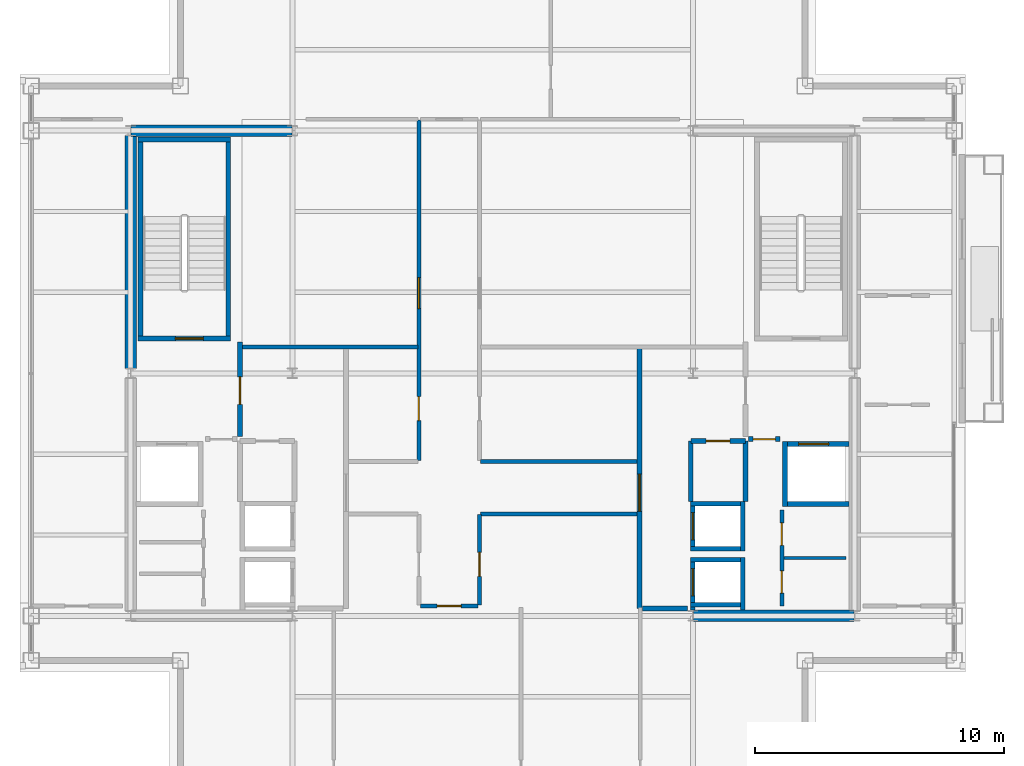
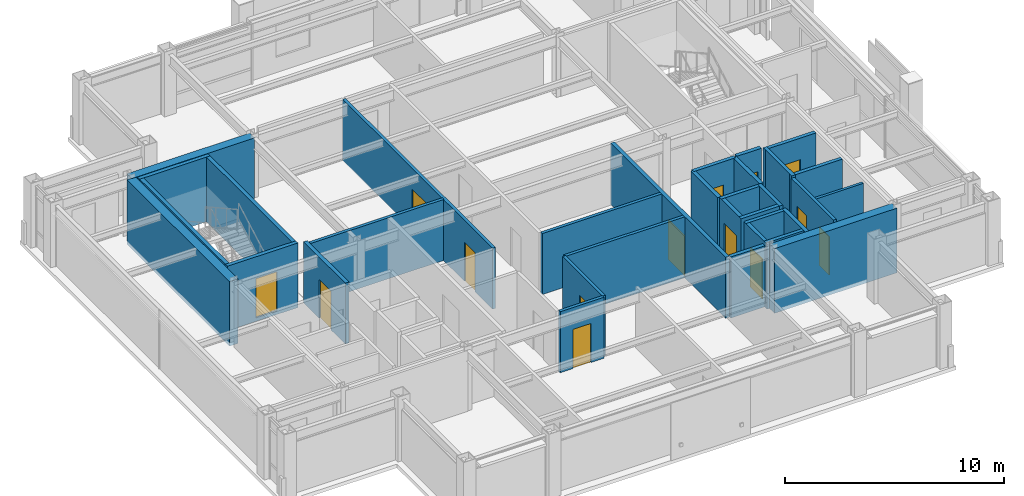
# One storey, part 20 of 24: 33 walls, 14 doors, 14 openings.
"""IFC4 building model written with IfcOpenShell, lengths in metres."""

import ifcopenshell
import ifcopenshell.guid

model = None  # the IFC model being written
_history = None  # IfcOwnerHistory: only IFC2X3 demands one
_inside = {}  # id of a spatial element -> (the spatial element, [elements in it])
_under = {}  # id of a project, library or spatial element -> (it, [spatial elements below it])
_declared = {}  # id of a project -> (the project, [libraries it declares])
_typed = {}  # id of a type object -> (the type object, [elements of that type])
_made_of = {}  # id of a material, layer set ... -> (it, [elements and type objects made of it])


def new_model(schema):
    """Start an empty IFC model of exactly this schema.

    Asked for "IFC4X3", IfcOpenShell would pick the latest addendum, in which some entities
    have other attributes; the version numbers below select the first issue.
    IFC2X3 requires an IfcOwnerHistory on every rooted entity: one is made here for all.
    """
    global model, _history
    if schema == "IFC4X3":
        model = ifcopenshell.file(schema_version=(4, 3, 0, 0))
    else:
        model = ifcopenshell.file(schema=schema)
    _inside.clear()
    _under.clear()
    _declared.clear()
    _typed.clear()
    _made_of.clear()
    _history = None
    if model.schema == "IFC2X3":
        org = make("IfcOrganization", Name="unknown")
        user = make(
            "IfcPersonAndOrganization",
            ThePerson=make("IfcPerson", FamilyName="unknown"),
            TheOrganization=org,
        )
        app = make(
            "IfcApplication",
            ApplicationDeveloper=org,
            Version="unknown",
            ApplicationFullName="unknown",
            ApplicationIdentifier="unknown",
        )
        _history = make(
            "IfcOwnerHistory",
            OwningUser=user,
            OwningApplication=app,
            ChangeAction="ADDED",
            CreationDate=0,
        )
    return model


def make(cls, **values):
    """One entity of the class cls with the attributes given. An attribute that is None is left unset."""
    return model.create_entity(
        cls, **{name: value for name, value in values.items() if value is not None}
    )


def rooted(cls, **values):
    """An entity with a GlobalId (a new one), such as an element, a storey or a relation."""
    return make(cls, GlobalId=ifcopenshell.guid.new(), OwnerHistory=_history, **values)


def si_unit(unit_type, name, prefix=None):
    """IfcSIUnit, for example si_unit("LENGTHUNIT", "METRE", prefix="MILLI")."""
    return make("IfcSIUnit", UnitType=unit_type, Prefix=prefix, Name=name)


def assignment(units):
    """IfcUnitAssignment: the units of a project."""
    return None if units is None else make("IfcUnitAssignment", Units=units)


def point(xyz):
    """IfcCartesianPoint."""
    return None if xyz is None else make("IfcCartesianPoint", Coordinates=xyz)


def direction(xyz):
    """IfcDirection."""
    return None if xyz is None else make("IfcDirection", DirectionRatios=xyz)


def frame(location, z_axis=None, x_axis=None):
    """IfcAxis2Placement3D, a coordinate frame: its origin and axes. An axis left out is left unset."""
    return make(
        "IfcAxis2Placement3D",
        Location=point(location),
        Axis=direction(z_axis),
        RefDirection=direction(x_axis),
    )


def frame_2d(location, x_axis=None):
    """IfcAxis2Placement2D, a coordinate frame in the plane: its origin and x axis."""
    return make(
        "IfcAxis2Placement2D", Location=point(location), RefDirection=direction(x_axis)
    )


def origin():
    """The frame at (0, 0, 0) with its axes left unset."""
    return frame((0.0, 0.0, 0.0))


def place(relative_to, where):
    """IfcLocalPlacement: puts the frame where relative to a parent placement (None: the world)."""
    return make(
        "IfcLocalPlacement", PlacementRelTo=relative_to, RelativePlacement=where
    )


def context(
    kind, dimensions, precision=None, world=None, true_north=None, identifier=None
):
    """IfcGeometricRepresentationContext, for example the 3D "Model" context."""
    return make(
        "IfcGeometricRepresentationContext",
        ContextIdentifier=identifier,
        ContextType=kind,
        CoordinateSpaceDimension=dimensions,
        Precision=precision,
        WorldCoordinateSystem=world,
        TrueNorth=true_north,
    )


def subcontext(parent, identifier, kind, view, scale=None):
    """IfcGeometricRepresentationSubContext, for example "Body" below "Model"."""
    return make(
        "IfcGeometricRepresentationSubContext",
        ContextIdentifier=identifier,
        ContextType=kind,
        ParentContext=parent,
        TargetScale=scale,
        TargetView=view,
    )


def project(units=None, contexts=None):
    """IfcProject with its units and contexts."""
    return rooted(
        "IfcProject",
        Name="project",
        RepresentationContexts=contexts,
        UnitsInContext=assignment(units),
    )


def spatial(cls, under=None, at=None, **own):
    """A site, building, storey or space (cls), placed at a placement, below another one or the project."""
    s = rooted(cls, ObjectPlacement=at, **own)
    if under is not None:
        _under.setdefault(under.id(), (under, []))[1].append(s)
    return s


def profile(cls, at=None, kind="AREA", **sizes):
    """A parametric profile (cls). Its sizes go by their IFC names, for example OverallWidth=200.0."""
    return make(cls, ProfileType=kind, Position=at, **sizes)


def rectangle(**sizes):
    """IfcRectangleProfileDef."""
    return profile("IfcRectangleProfileDef", **sizes)


def extrude(swept, where, along, depth):
    """IfcExtrudedAreaSolid: the profile swept, set in the frame where, extruded along a direction by depth."""
    return make(
        "IfcExtrudedAreaSolid",
        SweptArea=swept,
        Position=where,
        ExtrudedDirection=direction(along),
        Depth=depth,
    )


def shape(context_of_items, identifier, shape_type, items):
    """IfcShapeRepresentation: the items that make up one representation, for example the "Body"."""
    return make(
        "IfcShapeRepresentation",
        ContextOfItems=context_of_items,
        RepresentationIdentifier=identifier,
        RepresentationType=shape_type,
        Items=items,
    )


def material(Name=None, Category=None):
    """IfcMaterial."""
    return make("IfcMaterial", Name=Name, Category=Category)


def layer(
    of_material, thickness, ventilated=None, Name=None, Category=None, Priority=None
):
    """IfcMaterialLayer: one layer of a wall or slab, of a material (None: an air gap)."""
    return make(
        "IfcMaterialLayer",
        Material=of_material,
        LayerThickness=thickness,
        IsVentilated=ventilated,
        Name=Name,
        Category=Category,
        Priority=Priority,
    )


def layer_set(layers, Name=None):
    """IfcMaterialLayerSet."""
    return make("IfcMaterialLayerSet", MaterialLayers=layers, LayerSetName=Name)


def made_of(thing, what):
    """Note that an element or type object is made of a material, layer set ...; save() writes the relation."""
    if what is not None:
        _made_of.setdefault(what.id(), (what, []))[1].append(thing)
    return thing


def type_object(cls, material=None, **own):
    """A type object (cls), such as IfcWallType, which elements share."""
    return made_of(rooted(cls, **own), material)


def element(
    cls,
    number,
    at=None,
    inside=None,
    cuts=None,
    type_object=None,
    material=None,
    context=None,
    identifier="Body",
    shape_type=None,
    held_by="IfcProductDefinitionShape",
    body=None,
    shapes=None,
    **own,
):
    """One element of the class cls, such as IfcWall. Its Tag is "e" and its number.

    at: its placement. inside: the storey or other place that contains it. cuts: it is an
    opening in that element (IfcRelVoidsElement). A single representation is given by context,
    identifier, shape_type and body (its items); several are given by shapes. held_by: the class
    of the entity that holds the representations. save() writes the other relations.
    """
    e = rooted(cls, Tag="e%d" % number, ObjectPlacement=at, **own)
    if body is not None:
        shapes = [shape(context, identifier, shape_type, body)]
    if shapes is not None:
        e.Representation = make(held_by, Representations=shapes)
    if inside is not None:
        _inside.setdefault(inside.id(), (inside, []))[1].append(e)
    if cuts is not None:
        rooted(
            "IfcRelVoidsElement", RelatingBuildingElement=cuts, RelatedOpeningElement=e
        )
    if type_object is not None:
        _typed.setdefault(type_object.id(), (type_object, []))[1].append(e)
    return made_of(e, material)


def fill(opening, filler):
    """IfcRelFillsElement: the door or window that sits in an opening."""
    return rooted(
        "IfcRelFillsElement",
        RelatingOpeningElement=opening,
        RelatedBuildingElement=filler,
    )


def aggregate(whole, parts):
    """IfcRelAggregates: a whole, such as a stair, and the parts it consists of."""
    return rooted("IfcRelAggregates", RelatingObject=whole, RelatedObjects=parts)


def save(model, path):
    """Write the relations noted so far, then the file.

    IfcRelAggregates (storeys below a building ...), IfcRelContainedInSpatialStructure (elements
    in a storey), IfcRelDefinesByType, IfcRelAssociatesMaterial and IfcRelDeclares: one each for
    every whole, place, type object, material and project.
    """
    for whole, parts in _under.values():
        aggregate(whole, parts)
    for where, things in _inside.values():
        rooted(
            "IfcRelContainedInSpatialStructure",
            RelatedElements=things,
            RelatingStructure=where,
        )
    for kind, things in _typed.values():
        rooted("IfcRelDefinesByType", RelatedObjects=things, RelatingType=kind)
    for what, things in _made_of.values():
        rooted("IfcRelAssociatesMaterial", RelatedObjects=things, RelatingMaterial=what)
    for by, libraries in _declared.values():
        rooted("IfcRelDeclares", RelatingContext=by, RelatedDefinitions=libraries)
    model.write(path)


model = new_model("IFC4")

# Units and contexts
model_context = context("Model", 3, precision=1e-05, world=origin(), true_north=direction((0.0, 1.0)))
body_context = subcontext(model_context, "Body", "Model", "MODEL_VIEW")
ifc_project = project(units=[si_unit("LENGTHUNIT", "METRE"), si_unit("AREAUNIT", "SQUARE_METRE"), si_unit("VOLUMEUNIT", "CUBIC_METRE"), si_unit("PLANEANGLEUNIT", "RADIAN"), si_unit("MASSUNIT", "GRAM", prefix="KILO")], contexts=[model_context])

# Site, building, storey
site_placement = place(None, origin())
site = spatial("IfcSite", under=ifc_project, at=site_placement, CompositionType="ELEMENT")
building_placement = place(site_placement, origin())
building = spatial("IfcBuilding", under=site, at=building_placement, Name="Brelmoor Portico Tower", CompositionType="ELEMENT")
storey_placement = place(building_placement, frame((0.0, 0.0, 232.800048828125)))
storey = spatial("IfcBuildingStorey", under=building, at=storey_placement, Name="L61", CompositionType="ELEMENT", Elevation=232.800048828125)

# Walls
ifc_material_1 = material(Name="Concrete C50", Category="concrete")
ifc_layer_1 = layer(ifc_material_1, 0.449951171875)
ifc_layer_set_1 = layer_set([ifc_layer_1], Name="Concrete C50")
wall_type_1 = type_object("IfcWallType", Name="WL-CORE-450", PredefinedType="SHEAR", material=ifc_layer_set_1)
wall_1_placement = place(storey_placement, frame((-14.530029296875, 9.75, -0.199951171875), z_axis=(0.0, 0.0, 1.0), x_axis=(1.0, 0.0, 0.0)))
element("IfcWall", 1, at=wall_1_placement, inside=storey, type_object=wall_type_1, Name="L61 WC North Shear Wall", PredefinedType="SHEAR", context=body_context, shape_type="SweptSolid", body=[
    extrude(rectangle(XDim=6.4599609375, YDim=0.449951171875, at=frame_2d((3.22998046875, 0.0))), origin(), (0.0, 0.0, 1.0), 3.599853515625),
])
wall_2_placement = place(storey_placement, frame((-14.550048828125, 0.199951171875, -0.199951171875), z_axis=(0.0, 0.0, 1.0), x_axis=(0.0, 1.0, 0.0)))
element("IfcWall", 2, at=wall_2_placement, inside=storey, type_object=wall_type_1, Name="L61 WC Outer North Shear Wall", PredefinedType="SHEAR", context=body_context, shape_type="SweptSolid", body=[
    extrude(rectangle(XDim=9.35009765625, YDim=0.449951171875, at=frame_2d((4.675048828125, 0.0))), origin(), (0.0, 0.0, 1.0), 3.599853515625),
])
wall_3_placement = place(storey_placement, frame((8.070068359375, -9.75, -0.199951171875), z_axis=(0.0, 0.0, 1.0), x_axis=(1.0, 0.0, 0.0)))
element("IfcWall", 3, at=wall_3_placement, inside=storey, type_object=wall_type_1, Name="L61 EC South Shear Wall", PredefinedType="SHEAR", context=body_context, shape_type="SweptSolid", body=[
    extrude(rectangle(XDim=6.4599609375, YDim=0.449951171875, at=frame_2d((3.22998046875, 0.0))), origin(), (0.0, 0.0, 1.0), 3.599853515625),
])
ifc_material_2 = material(Name="Insulated Stud Suite Partition", Category="gypsum")
ifc_layer_2 = layer(ifc_material_2, 0.139892578125)
ifc_layer_set_2 = layer_set([ifc_layer_2], Name="Insulated Stud Suite Partition")
wall_type_2 = type_object("IfcWallType", Name="WL-PART-140", PredefinedType="PARTITIONING", material=ifc_layer_set_2)
wall_4_placement = place(storey_placement, frame((11.699951171875, -7.425048828125, 0.0), z_axis=(0.0, 0.0, 1.0), x_axis=(1.0, 0.0, 0.0)))
element("IfcWall", 4, at=wall_4_placement, inside=storey, type_object=wall_type_2, Name="L61 E Core WC Divider 1", PredefinedType="PARTITIONING", context=body_context, shape_type="SweptSolid", body=[
    extrude(rectangle(XDim=2.5, YDim=0.139892578125, at=frame_2d((1.25, 0.0))), origin(), (0.0, 0.0, 1.0), 3.39990234375),
])

# Wall, openings, doors
ifc_material_3 = material(Name="Twin-Frame Acoustic Partition", Category="gypsum")
ifc_layer_3 = layer(ifc_material_3, 0.159912109375)
ifc_layer_set_3 = layer_set([ifc_layer_3], Name="Twin-Frame Acoustic Partition")
wall_type_3 = type_object("IfcWallType", Name="WL-PART-160", PredefinedType="PARTITIONING", material=ifc_layer_set_3)
wall_5_placement = place(storey_placement, frame((11.6201171875, -9.35009765625, 0.0), z_axis=(0.0, 0.0, 1.0), x_axis=(0.0, 1.0, 0.0)))
wall_5 = element("IfcWall", 5, at=wall_5_placement, inside=storey, type_object=wall_type_3, Name="L61 E Core Service Front Wall", PredefinedType="PARTITIONING", context=body_context, shape_type="SweptSolid", body=[
    extrude(rectangle(XDim=3.85009765625, YDim=0.159912109375, at=frame_2d((1.925048828125, 0.0))), origin(), (0.0, 0.0, 1.0), 3.39990234375),
])
opening_1_placement = place(wall_5_placement, frame((0.512451171875, 0.0, 0.0)))
opening_1 = element("IfcOpeningElement", 6, at=opening_1_placement, cuts=wall_5, Name="Opening D-IN1", PredefinedType="OPENING", context=body_context, shape_type="SweptSolid", body=[
    extrude(rectangle(XDim=0.89990234375, YDim=2.14990234375, at=frame_2d((0.449951171875, 1.074951171875))), frame((0.0, 0.08984375, 0.0), z_axis=(0.0, -1.0, 0.0), x_axis=(1.0, 0.0, 0.0)), (0.0, 0.0, 1.0), 0.179931640625),
])
opening_2_placement = place(wall_5_placement, frame((2.4375, 0.0, 0.0)))
opening_2 = element("IfcOpeningElement", 7, at=opening_2_placement, cuts=wall_5, Name="Opening D-IN1", PredefinedType="OPENING", context=body_context, shape_type="SweptSolid", body=[
    extrude(rectangle(XDim=0.89990234375, YDim=2.14990234375, at=frame_2d((0.449951171875, 1.074951171875))), frame((0.0, 0.08984375, 0.0), z_axis=(0.0, -1.0, 0.0), x_axis=(1.0, 0.0, 0.0)), (0.0, 0.0, 1.0), 0.179931640625),
])
ifc_material_4 = material(Name="Lacquered Timber Suite Door", Category="wood")
door_type_1 = type_object("IfcDoorType", Name="DR-INT-900", OperationType="NOTDEFINED", PredefinedType="DOOR", material=ifc_material_4)
door_1_placement = place(opening_1_placement, origin())
door_1 = element("IfcDoor", 8, at=door_1_placement, inside=storey, type_object=door_type_1, Name="D-2518 L61 E Male WC Door", OperationType="SINGLE_SWING_RIGHT", OverallHeight=2.14990234375, OverallWidth=0.89990234375, PredefinedType="DOOR", context=body_context, shape_type="SweptSolid", body=[
    extrude(rectangle(XDim=0.89990234375, YDim=2.14990234375, at=frame_2d((0.449951171875, 1.074951171875))), frame((0.0, 0.02490234375, 0.0), z_axis=(0.0, -1.0, 0.0), x_axis=(1.0, 0.0, 0.0)), (0.0, 0.0, 1.0), 0.050048828125),
])
fill(opening_1, door_1)
door_2_placement = place(opening_2_placement, origin())
door_2 = element("IfcDoor", 9, at=door_2_placement, inside=storey, type_object=door_type_1, Name="D-2519 L61 E Female WC Door", OperationType="SINGLE_SWING_LEFT", OverallHeight=2.14990234375, OverallWidth=0.89990234375, PredefinedType="DOOR", context=body_context, shape_type="SweptSolid", body=[
    extrude(rectangle(XDim=0.89990234375, YDim=2.14990234375, at=frame_2d((0.449951171875, 1.074951171875))), frame((0.0, 0.02490234375, 0.0), z_axis=(0.0, -1.0, 0.0), x_axis=(1.0, 0.0, 0.0)), (0.0, 0.0, 1.0), 0.050048828125),
])
fill(opening_2, door_2)

# Wall
wall_6_placement = place(storey_placement, frame((-10.050048828125, 1.050048828125, 0.0), z_axis=(0.0, 0.0, 1.0), x_axis=(1.0, 0.0, 0.0)))
element("IfcWall", 10, at=wall_6_placement, inside=storey, type_object=wall_type_3, Name="L61 West Reclaimed Suite South Wall", PredefinedType="PARTITIONING", context=body_context, shape_type="SweptSolid", body=[
    extrude(rectangle(XDim=7.0400390625, YDim=0.159912109375, at=frame_2d((3.52001953125, 0.0))), origin(), (0.0, 0.0, 1.0), 3.39990234375),
])

# Wall, openings, doors
wall_7_placement = place(storey_placement, frame((-2.969970703125, -3.5, 0.0), z_axis=(0.0, 0.0, 1.0), x_axis=(0.0, 1.0, 0.0)))
wall_7 = element("IfcWall", 11, at=wall_7_placement, inside=storey, type_object=wall_type_3, Name="L61 Central Cross West Wall", PredefinedType="PARTITIONING", context=body_context, shape_type="SweptSolid", body=[
    extrude(rectangle(XDim=13.669921875, YDim=0.159912109375, at=frame_2d((6.8349609375, 0.0))), origin(), (0.0, 0.0, 1.0), 3.39990234375),
])
opening_3_placement = place(wall_7_placement, frame((6.10009765625, 0.0, 0.0)))
opening_3 = element("IfcOpeningElement", 12, at=opening_3_placement, cuts=wall_7, Name="Opening D-SU1", PredefinedType="OPENING", context=body_context, shape_type="SweptSolid", body=[
    extrude(rectangle(XDim=1.239990234375, YDim=2.239990234375, at=frame_2d((0.6201171875, 1.1201171875))), frame((0.0, 0.08984375, 0.0), z_axis=(0.0, -1.0, 0.0), x_axis=(1.0, 0.0, 0.0)), (0.0, 0.0, 1.0), 0.179931640625),
])
opening_4_placement = place(wall_7_placement, frame((1.60009765625, 0.0, 0.0)))
opening_4 = element("IfcOpeningElement", 13, at=opening_4_placement, cuts=wall_7, Name="Opening D-IN2", PredefinedType="OPENING", context=body_context, shape_type="SweptSolid", body=[
    extrude(rectangle(XDim=0.9599609375, YDim=2.179931640625, at=frame_2d((0.47998046875, 1.08984375))), frame((0.0, 0.08984375, 0.0), z_axis=(0.0, -1.0, 0.0), x_axis=(1.0, 0.0, 0.0)), (0.0, 0.0, 1.0), 0.179931640625),
])
door_type_2 = type_object("IfcDoorType", Name="DR-INT-950", OperationType="NOTDEFINED", PredefinedType="DOOR", material=ifc_material_4)
door_3_placement = place(opening_4_placement, origin())
door_3 = element("IfcDoor", 14, at=door_3_placement, inside=storey, type_object=door_type_2, Name="D-2516 L61 Staff Pantry Door", OperationType="SINGLE_SWING_LEFT", OverallHeight=2.179931640625, OverallWidth=0.9599609375, PredefinedType="DOOR", context=body_context, shape_type="SweptSolid", body=[
    extrude(rectangle(XDim=0.9599609375, YDim=2.179931640625, at=frame_2d((0.47998046875, 1.08984375))), frame((0.0, 0.02490234375, 0.0), z_axis=(0.0, -1.0, 0.0), x_axis=(1.0, 0.0, 0.0)), (0.0, 0.0, 1.0), 0.050048828125),
])
fill(opening_4, door_3)
ifc_material_5 = material(Name="Glazed Timber Executive Suite Door", Category="wood")
door_type_3 = type_object("IfcDoorType", Name="DR-SUITE-1200", OperationType="NOTDEFINED", PredefinedType="DOOR", material=ifc_material_5)
door_4_placement = place(opening_3_placement, origin())
door_4 = element("IfcDoor", 15, at=door_4_placement, inside=storey, type_object=door_type_3, Name="D-2517 L61 West Reclaimed Studio Door", OperationType="SINGLE_SWING_RIGHT", OverallHeight=2.239990234375, OverallWidth=1.239990234375, PredefinedType="DOOR", context=body_context, shape_type="SweptSolid", body=[
    extrude(rectangle(XDim=1.239990234375, YDim=2.239990234375, at=frame_2d((0.6201171875, 1.1201171875))), frame((0.0, 0.02490234375, 0.0), z_axis=(0.0, -1.0, 0.0), x_axis=(1.0, 0.0, 0.0)), (0.0, 0.0, 1.0), 0.050048828125),
])
fill(opening_3, door_4)

# Wall
wall_8_placement = place(storey_placement, frame((-0.489990234375, -3.550048828125, 0.0), z_axis=(0.0, 0.0, 1.0), x_axis=(1.0, 0.0, 0.0)))
element("IfcWall", 16, at=wall_8_placement, inside=storey, type_object=wall_type_3, Name="L61 East Office South Wall", PredefinedType="PARTITIONING", context=body_context, shape_type="SweptSolid", body=[
    extrude(rectangle(XDim=6.2900390625, YDim=0.159912109375, at=frame_2d((3.14501953125, 0.0))), origin(), (0.0, 0.0, 1.0), 3.39990234375),
])

# Wall, opening, door
wall_9_placement = place(storey_placement, frame((-0.530029296875, -9.31005859375, 0.0), z_axis=(0.0, 0.0, 1.0), x_axis=(0.0, 1.0, 0.0)))
wall_9 = element("IfcWall", 17, at=wall_9_placement, inside=storey, type_object=wall_type_3, Name="L61 South Cross East Wall", PredefinedType="PARTITIONING", context=body_context, shape_type="SweptSolid", body=[
    extrude(rectangle(XDim=3.630126953125, YDim=0.159912109375, at=frame_2d((1.81494140625, 0.0))), origin(), (0.0, 0.0, 1.0), 3.39990234375),
])
opening_5_placement = place(wall_9_placement, frame((1.14990234375, 0.0, 0.0)))
opening_5 = element("IfcOpeningElement", 18, at=opening_5_placement, cuts=wall_9, Name="Opening D-IN2", PredefinedType="OPENING", context=body_context, shape_type="SweptSolid", body=[
    extrude(rectangle(XDim=0.9599609375, YDim=2.179931640625, at=frame_2d((0.47998046875, 1.08984375))), frame((0.0, 0.08984375, 0.0), z_axis=(0.0, -1.0, 0.0), x_axis=(1.0, 0.0, 0.0)), (0.0, 0.0, 1.0), 0.179931640625),
])
door_5_placement = place(opening_5_placement, origin())
door_5 = element("IfcDoor", 19, at=door_5_placement, inside=storey, type_object=door_type_2, Name="D-2514 L61 South-East Partner Office Door", OperationType="SINGLE_SWING_LEFT", OverallHeight=2.179931640625, OverallWidth=0.9599609375, PredefinedType="DOOR", context=body_context, shape_type="SweptSolid", body=[
    extrude(rectangle(XDim=0.9599609375, YDim=2.179931640625, at=frame_2d((0.47998046875, 1.08984375))), frame((0.0, 0.02490234375, 0.0), z_axis=(0.0, -1.0, 0.0), x_axis=(1.0, 0.0, 0.0)), (0.0, 0.0, 1.0), 0.050048828125),
])
fill(opening_5, door_5)

# Wall
wall_10_placement = place(storey_placement, frame((-0.489990234375, -5.64990234375, 0.0), z_axis=(0.0, 0.0, 1.0), x_axis=(1.0, 0.0, 0.0)))
element("IfcWall", 20, at=wall_10_placement, inside=storey, type_object=wall_type_3, Name="L61 South-East Chamber Top Wall", PredefinedType="PARTITIONING", context=body_context, shape_type="SweptSolid", body=[
    extrude(rectangle(XDim=6.2900390625, YDim=0.159912109375, at=frame_2d((3.14501953125, 0.0))), origin(), (0.0, 0.0, 1.0), 3.39990234375),
])

# Wall, opening, door
wall_11_placement = place(storey_placement, frame((-2.89990234375, -9.35009765625, 0.0), z_axis=(0.0, 0.0, 1.0), x_axis=(1.0, 0.0, 0.0)))
wall_11 = element("IfcWall", 21, at=wall_11_placement, inside=storey, type_object=wall_type_3, Name="L61 South Corridor Partition", PredefinedType="PARTITIONING", context=body_context, shape_type="SweptSolid", body=[
    extrude(rectangle(XDim=2.2998046875, YDim=0.159912109375, at=frame_2d((1.14990234375, 0.0))), origin(), (0.0, 0.0, 1.0), 3.39990234375),
])
opening_6_placement = place(wall_11_placement, frame((0.669921875, 0.0, 0.0)))
opening_6 = element("IfcOpeningElement", 22, at=opening_6_placement, cuts=wall_11, Name="Opening D-IN2", PredefinedType="OPENING", context=body_context, shape_type="SweptSolid", body=[
    extrude(rectangle(XDim=0.9599609375, YDim=2.179931640625, at=frame_2d((0.47998046875, 1.08984375))), frame((0.0, 0.08984375, 0.0), z_axis=(0.0, -1.0, 0.0), x_axis=(1.0, 0.0, 0.0)), (0.0, 0.0, 1.0), 0.179931640625),
])
door_6_placement = place(opening_6_placement, origin())
door_6 = element("IfcDoor", 23, at=door_6_placement, inside=storey, type_object=door_type_2, Name="D-2535 L61 South Technical Storage 2 Door", OperationType="SINGLE_SWING_LEFT", OverallHeight=2.179931640625, OverallWidth=0.9599609375, PredefinedType="DOOR", context=body_context, shape_type="SweptSolid", body=[
    extrude(rectangle(XDim=0.9599609375, YDim=2.179931640625, at=frame_2d((0.47998046875, 1.08984375))), frame((0.0, 0.02490234375, 0.0), z_axis=(0.0, -1.0, 0.0), x_axis=(1.0, 0.0, 0.0)), (0.0, 0.0, 1.0), 0.050048828125),
])
fill(opening_6, door_6)

ifc_material_6 = material(Name="Double-Stud Gypsum Fire Partition", Category="gypsum")
ifc_layer_4 = layer(ifc_material_6, 0.199951171875)
ifc_layer_set_4 = layer_set([ifc_layer_4], Name="Double-Stud Gypsum Fire Partition")
wall_type_4 = type_object("IfcWallType", Name="WL-PART-200", PredefinedType="PARTITIONING", material=ifc_layer_set_4)
wall_12_placement = place(storey_placement, frame((-10.159912109375, -2.550048828125, 0.0), z_axis=(0.0, 0.0, 1.0), x_axis=(0.0, 1.0, 0.0)))
wall_12 = element("IfcWall", 24, at=wall_12_placement, inside=storey, type_object=wall_type_4, Name="L61 W Firefighting Lobby Wall", PredefinedType="PARTITIONING", context=body_context, shape_type="SweptSolid", body=[
    extrude(rectangle(XDim=3.800048828125, YDim=0.199951171875, at=frame_2d((1.89990234375, 0.0))), origin(), (0.0, 0.0, 1.0), 3.39990234375),
])
opening_7_placement = place(wall_12_placement, frame((1.300048828125, 0.0, 0.0)))
opening_7 = element("IfcOpeningElement", 25, at=opening_7_placement, cuts=wall_12, Name="Opening D-FR1", PredefinedType="OPENING", context=body_context, shape_type="SweptSolid", body=[
    extrude(rectangle(XDim=1.10009765625, YDim=2.14990234375, at=frame_2d((0.550048828125, 1.074951171875))), frame((0.0, 0.10986328125, 0.0), z_axis=(0.0, -1.0, 0.0), x_axis=(1.0, 0.0, 0.0)), (0.0, 0.0, 1.0), 0.219970703125),
])
ifc_material_7 = material(Name="Painted Galvanised Steel Fire Door", Category="steel")
door_type_4 = type_object("IfcDoorType", Name="DR-FIRE-1100", OperationType="NOTDEFINED", PredefinedType="DOOR", material=ifc_material_7)
door_7_placement = place(opening_7_placement, origin())
door_7 = element("IfcDoor", 26, at=door_7_placement, inside=storey, type_object=door_type_4, Name="D-2528 L61 W Firefighting Lobby Door", OperationType="SINGLE_SWING_LEFT", OverallHeight=2.14990234375, OverallWidth=1.10009765625, PredefinedType="DOOR", context=body_context, shape_type="SweptSolid", body=[
    extrude(rectangle(XDim=1.10009765625, YDim=2.14990234375, at=frame_2d((0.550048828125, 1.074951171875))), frame((0.0, 0.02490234375, 0.0), z_axis=(0.0, -1.0, 0.0), x_axis=(1.0, 0.0, 0.0)), (0.0, 0.0, 1.0), 0.050048828125),
])
fill(opening_7, door_7)

wall_13_placement = place(storey_placement, frame((5.89990234375, -9.449951171875, 0.0), z_axis=(0.0, 0.0, 1.0), x_axis=(0.0, 1.0, 0.0)))
wall_13 = element("IfcWall", 27, at=wall_13_placement, inside=storey, type_object=wall_type_4, Name="L61 E Core Lobby Compartment Wall", PredefinedType="PARTITIONING", context=body_context, shape_type="SweptSolid", body=[
    extrude(rectangle(XDim=10.5, YDim=0.199951171875, at=frame_2d((5.25, 0.0))), origin(), (0.0, 0.0, 1.0), 3.39990234375),
])
opening_8_placement = place(wall_13_placement, frame((3.89990234375, 0.0, 0.0)))
opening_8 = element("IfcOpeningElement", 28, at=opening_8_placement, cuts=wall_13, Name="Opening D-LB1", PredefinedType="OPENING", context=body_context, shape_type="SweptSolid", body=[
    extrude(rectangle(XDim=1.5, YDim=2.199951171875, at=frame_2d((0.75, 1.10009765625))), frame((0.0, 0.10986328125, 0.0), z_axis=(0.0, -1.0, 0.0), x_axis=(1.0, 0.0, 0.0)), (0.0, 0.0, 1.0), 0.219970703125),
])
ifc_material_8 = material(Name="Double-Leaf Glazed Steel Fire Door", Category="steel")
door_type_5 = type_object("IfcDoorType", Name="DR-LOBBY-1500", OperationType="NOTDEFINED", PredefinedType="DOOR", material=ifc_material_8)
door_8_placement = place(opening_8_placement, origin())
door_8 = element("IfcDoor", 29, at=door_8_placement, inside=storey, type_object=door_type_5, Name="D-2529 L61 E Lift Lobby Main Door", OperationType="DOUBLE_DOOR_SINGLE_SWING", OverallHeight=2.199951171875, OverallWidth=1.5, PredefinedType="DOOR", context=body_context, shape_type="SweptSolid", body=[
    extrude(rectangle(XDim=1.5, YDim=2.199951171875, at=frame_2d((0.75, 1.10009765625))), frame((0.0, 0.02490234375, 0.0), z_axis=(0.0, -1.0, 0.0), x_axis=(1.0, 0.0, 0.0)), (0.0, 0.0, 1.0), 0.050048828125),
])
fill(opening_8, door_8)

# Wall
wall_14_placement = place(storey_placement, frame((6.02001953125, -9.449951171875, 0.0), z_axis=(0.0, 0.0, 1.0), x_axis=(1.0, 0.0, 0.0)))
element("IfcWall", 30, at=wall_14_placement, inside=storey, type_object=wall_type_4, Name="L61 E Lift Lobby South End Wall", PredefinedType="PARTITIONING", context=body_context, shape_type="SweptSolid", body=[
    extrude(rectangle(XDim=1.800048828125, YDim=0.199951171875, at=frame_2d((0.89990234375, 0.0))), origin(), (0.0, 0.0, 1.0), 3.39990234375),
])

# Wall, opening, door
wall_15_placement = place(storey_placement, frame((10.280029296875, -2.64990234375, 0.0), z_axis=(0.0, 0.0, 1.0), x_axis=(1.0, 0.0, 0.0)))
wall_15 = element("IfcWall", 31, at=wall_15_placement, inside=storey, type_object=wall_type_4, Name="L61 E Firefighting Lobby South Wall", PredefinedType="PARTITIONING", context=body_context, shape_type="SweptSolid", body=[
    extrude(rectangle(XDim=1.27001953125, YDim=0.199951171875, at=frame_2d((0.635009765625, 0.0))), origin(), (0.0, 0.0, 1.0), 3.39990234375),
])
opening_9_placement = place(wall_15_placement, frame((0.18505859375, 0.0, 0.0)))
opening_9 = element("IfcOpeningElement", 32, at=opening_9_placement, cuts=wall_15, Name="Opening D-IN1", PredefinedType="OPENING", context=body_context, shape_type="SweptSolid", body=[
    extrude(rectangle(XDim=0.89990234375, YDim=2.14990234375, at=frame_2d((0.449951171875, 1.074951171875))), frame((0.0, 0.10986328125, 0.0), z_axis=(0.0, -1.0, 0.0), x_axis=(1.0, 0.0, 0.0)), (0.0, 0.0, 1.0), 0.219970703125),
])
door_9_placement = place(opening_9_placement, origin())
door_9 = element("IfcDoor", 33, at=door_9_placement, inside=storey, type_object=door_type_1, Name="D-2520 L61 E Core Service Vestibule Door", OperationType="SINGLE_SWING_RIGHT", OverallHeight=2.14990234375, OverallWidth=0.89990234375, PredefinedType="DOOR", context=body_context, shape_type="SweptSolid", body=[
    extrude(rectangle(XDim=0.89990234375, YDim=2.14990234375, at=frame_2d((0.449951171875, 1.074951171875))), frame((0.0, 0.02490234375, 0.0), z_axis=(0.0, -1.0, 0.0), x_axis=(1.0, 0.0, 0.0)), (0.0, 0.0, 1.0), 0.050048828125),
])
fill(opening_9, door_9)

wall_16_placement = place(storey_placement, frame((7.9599609375, -2.719970703125, 0.0), z_axis=(0.0, 0.0, 1.0), x_axis=(1.0, 0.0, 0.0)))
wall_16 = element("IfcWall", 34, at=wall_16_placement, inside=storey, type_object=wall_type_4, Name="L61 E Electrical Switchgear Closet Wall", PredefinedType="PARTITIONING", context=body_context, shape_type="SweptSolid", body=[
    extrude(rectangle(XDim=2.199951171875, YDim=0.199951171875, at=frame_2d((1.10009765625, 0.0))), origin(), (0.0, 0.0, 1.0), 3.39990234375),
])
opening_10_placement = place(wall_16_placement, frame((0.6201171875, 0.0, 0.0)))
opening_10 = element("IfcOpeningElement", 35, at=opening_10_placement, cuts=wall_16, Name="Opening D-FR4", PredefinedType="OPENING", context=body_context, shape_type="SweptSolid", body=[
    extrude(rectangle(XDim=0.949951171875, YDim=2.10009765625, at=frame_2d((0.47509765625, 1.050048828125))), frame((0.0, 0.10986328125, 0.0), z_axis=(0.0, -1.0, 0.0), x_axis=(1.0, 0.0, 0.0)), (0.0, 0.0, 1.0), 0.219970703125),
])
ifc_material_9 = material(Name="Painted Galvanised Steel Riser Door", Category="steel")
door_type_6 = type_object("IfcDoorType", Name="DR-FIRE-950", OperationType="NOTDEFINED", PredefinedType="DOOR", material=ifc_material_9)
door_10_placement = place(opening_10_placement, origin())
door_10 = element("IfcDoor", 36, at=door_10_placement, inside=storey, type_object=door_type_6, Name="D-2525 L61 E Electrical Switchgear Closet Door", OperationType="SINGLE_SWING_LEFT", OverallHeight=2.10009765625, OverallWidth=0.949951171875, PredefinedType="DOOR", context=body_context, shape_type="SweptSolid", body=[
    extrude(rectangle(XDim=0.949951171875, YDim=2.10009765625, at=frame_2d((0.47509765625, 1.050048828125))), frame((0.0, 0.02490234375, 0.0), z_axis=(0.0, -1.0, 0.0), x_axis=(1.0, 0.0, 0.0)), (0.0, 0.0, 1.0), 0.050048828125),
])
fill(opening_10, door_10)

# Walls
for number, where, z_axis, x_axis, name in (
    (37, (7.9599609375, -5.159912109375, 0.0), (0.0, 0.0, 1.0), (0.0, 1.0, 0.0), "L61 E Electrical Switchgear Closet Inner Wall"),
    (38, (10.159912109375, -5.159912109375, 0.0), (0.0, 0.0, 1.0), (0.0, 1.0, 0.0), "L61 E Electrical Switchgear Closet Outer Wall"),
):
    element("IfcWall", number, at=place(storey_placement, frame(where, z_axis=z_axis, x_axis=x_axis)), inside=storey, type_object=wall_type_4, Name=name, PredefinedType="PARTITIONING", context=body_context, shape_type="SweptSolid", body=[
        extrude(rectangle(XDim=2.43994140625, YDim=0.199951171875, at=frame_2d((1.219970703125, 0.0))), origin(), (0.0, 0.0, 1.0), 3.39990234375),
    ])

# Wall, opening, door
ifc_material_10 = material(Name="Precast Concrete C40", Category="concrete")
ifc_layer_5 = layer(ifc_material_10, 0.18994140625)
ifc_layer_set_5 = layer_set([ifc_layer_5], Name="Precast Concrete C40")
wall_type_5 = type_object("IfcWallType", Name="WL-SHAFT-180", PredefinedType="SOLIDWALL", material=ifc_layer_set_5)
wall_17_placement = place(storey_placement, frame((8.044921875, -9.52001953125, -0.199951171875), z_axis=(0.0, 0.0, 1.0), x_axis=(0.0, 1.0, 0.0)))
wall_17 = element("IfcWall", 39, at=wall_17_placement, inside=storey, type_object=wall_type_5, Name="L61 Lift PH3 Hoistway Front Wall", PredefinedType="SOLIDWALL", context=body_context, shape_type="SweptSolid", body=[
    extrude(rectangle(XDim=2.1201171875, YDim=0.18994140625, at=frame_2d((1.06005859375, 0.0))), origin(), (0.0, 0.0, 1.0), 3.599853515625),
])
opening_11_placement = place(wall_17_placement, frame((0.570068359375, 0.0, 0.199951171875)))
opening_11 = element("IfcOpeningElement", 40, at=opening_11_placement, cuts=wall_17, Name="Opening LD-01", PredefinedType="OPENING", context=body_context, shape_type="SweptSolid", body=[
    extrude(rectangle(XDim=1.10009765625, YDim=2.199951171875, at=frame_2d((0.550048828125, 1.10009765625))), frame((0.0, 0.10498046875, 0.0), z_axis=(0.0, -1.0, 0.0), x_axis=(1.0, 0.0, 0.0)), (0.0, 0.0, 1.0), 0.2099609375),
])
ifc_material_11 = material(Name="Brushed Stainless Steel Sliding Lift Door", Category="steel")
door_type_7 = type_object("IfcDoorType", Name="DR-LIFT-1100", OperationType="NOTDEFINED", PredefinedType="DOOR", material=ifc_material_11)
door_11_placement = place(opening_11_placement, origin())
door_11 = element("IfcDoor", 41, at=door_11_placement, inside=storey, type_object=door_type_7, Name="D-2551 L61 Lift PH3 Sliding Landing Door", OperationType="SLIDING_TO_LEFT", OverallHeight=2.199951171875, OverallWidth=1.10009765625, PredefinedType="DOOR", context=body_context, shape_type="SweptSolid", body=[
    extrude(rectangle(XDim=1.10009765625, YDim=2.199951171875, at=frame_2d((0.550048828125, 1.10009765625))), frame((0.0, 0.02490234375, 0.0), z_axis=(0.0, -1.0, 0.0), x_axis=(1.0, 0.0, 0.0)), (0.0, 0.0, 1.0), 0.050048828125),
])
fill(opening_11, door_11)

# Walls
wall_18_placement = place(storey_placement, frame((10.054931640625, -9.52001953125, -0.199951171875), z_axis=(0.0, 0.0, 1.0), x_axis=(0.0, 1.0, 0.0)))
element("IfcWall", 42, at=wall_18_placement, inside=storey, type_object=wall_type_5, Name="L61 Lift PH3 Hoistway Back Wall", PredefinedType="SOLIDWALL", context=body_context, shape_type="SweptSolid", body=[
    extrude(rectangle(XDim=2.1201171875, YDim=0.18994140625, at=frame_2d((1.06005859375, 0.0))), origin(), (0.0, 0.0, 1.0), 3.599853515625),
])
for number, where, z_axis, x_axis, name in (
    (43, (7.949951171875, -7.4951171875, -0.199951171875), (0.0, 0.0, 1.0), (1.0, 0.0, 0.0), "L61 Lift PH3 Hoistway North Wall"),
    (44, (7.949951171875, -9.304931640625, -0.199951171875), (0.0, 0.0, 1.0), (1.0, 0.0, 0.0), "L61 Lift PH3 Hoistway South Wall"),
):
    element("IfcWall", number, at=place(storey_placement, frame(where, z_axis=z_axis, x_axis=x_axis)), inside=storey, type_object=wall_type_5, Name=name, PredefinedType="SOLIDWALL", context=body_context, shape_type="SweptSolid", body=[
        extrude(rectangle(XDim=2.199951171875, YDim=0.18994140625, at=frame_2d((1.10009765625, 0.0))), origin(), (0.0, 0.0, 1.0), 3.599853515625),
    ])

# Wall, opening, door
wall_19_placement = place(storey_placement, frame((8.044921875, -7.14990234375, -0.199951171875), z_axis=(0.0, 0.0, 1.0), x_axis=(0.0, 1.0, 0.0)))
wall_19 = element("IfcWall", 45, at=wall_19_placement, inside=storey, type_object=wall_type_5, Name="L61 Lift PH4 Hoistway Front Wall", PredefinedType="SOLIDWALL", context=body_context, shape_type="SweptSolid", body=[
    extrude(rectangle(XDim=2.0, YDim=0.18994140625, at=frame_2d((1.0, 0.0))), origin(), (0.0, 0.0, 1.0), 3.599853515625),
])
opening_12_placement = place(wall_19_placement, frame((0.449951171875, 0.0, 0.199951171875)))
opening_12 = element("IfcOpeningElement", 46, at=opening_12_placement, cuts=wall_19, Name="Opening LD-01", PredefinedType="OPENING", context=body_context, shape_type="SweptSolid", body=[
    extrude(rectangle(XDim=1.10009765625, YDim=2.199951171875, at=frame_2d((0.550048828125, 1.10009765625))), frame((0.0, 0.10498046875, 0.0), z_axis=(0.0, -1.0, 0.0), x_axis=(1.0, 0.0, 0.0)), (0.0, 0.0, 1.0), 0.2099609375),
])
door_12_placement = place(opening_12_placement, origin())
door_12 = element("IfcDoor", 47, at=door_12_placement, inside=storey, type_object=door_type_7, Name="D-2552 L61 Lift PH4 Sliding Landing Door", OperationType="SLIDING_TO_LEFT", OverallHeight=2.199951171875, OverallWidth=1.10009765625, PredefinedType="DOOR", context=body_context, shape_type="SweptSolid", body=[
    extrude(rectangle(XDim=1.10009765625, YDim=2.199951171875, at=frame_2d((0.550048828125, 1.10009765625))), frame((0.0, 0.02490234375, 0.0), z_axis=(0.0, -1.0, 0.0), x_axis=(1.0, 0.0, 0.0)), (0.0, 0.0, 1.0), 0.050048828125),
])
fill(opening_12, door_12)

# Walls
wall_20_placement = place(storey_placement, frame((10.054931640625, -7.14990234375, -0.199951171875), z_axis=(0.0, 0.0, 1.0), x_axis=(0.0, 1.0, 0.0)))
element("IfcWall", 48, at=wall_20_placement, inside=storey, type_object=wall_type_5, Name="L61 Lift PH4 Hoistway Back Wall", PredefinedType="SOLIDWALL", context=body_context, shape_type="SweptSolid", body=[
    extrude(rectangle(XDim=2.0, YDim=0.18994140625, at=frame_2d((1.0, 0.0))), origin(), (0.0, 0.0, 1.0), 3.599853515625),
])
for number, where, z_axis, x_axis, name in (
    (49, (7.949951171875, -5.2451171875, -0.199951171875), (0.0, 0.0, 1.0), (1.0, 0.0, 0.0), "L61 Lift PH4 Hoistway North Wall"),
    (50, (7.949951171875, -7.054931640625, -0.199951171875), (0.0, 0.0, 1.0), (1.0, 0.0, 0.0), "L61 Lift PH4 Hoistway South Wall"),
):
    element("IfcWall", number, at=place(storey_placement, frame(where, z_axis=z_axis, x_axis=x_axis)), inside=storey, type_object=wall_type_5, Name=name, PredefinedType="SOLIDWALL", context=body_context, shape_type="SweptSolid", body=[
        extrude(rectangle(XDim=2.199951171875, YDim=0.18994140625, at=frame_2d((1.10009765625, 0.0))), origin(), (0.0, 0.0, 1.0), 3.599853515625),
    ])

# Wall, opening, door
wall_21_placement = place(storey_placement, frame((11.64990234375, -2.844970703125, -0.199951171875), z_axis=(0.0, 0.0, 1.0), x_axis=(1.0, 0.0, 0.0)))
wall_21 = element("IfcWall", 51, at=wall_21_placement, inside=storey, type_object=wall_type_5, Name="L61 Lift FF2 Hoistway Front Wall", PredefinedType="SOLIDWALL", context=body_context, shape_type="SweptSolid", body=[
    extrude(rectangle(XDim=2.68017578125, YDim=0.18994140625, at=frame_2d((1.340087890625, 0.0))), origin(), (0.0, 0.0, 1.0), 3.599853515625),
])
opening_13_placement = place(wall_21_placement, frame((0.64990234375, 0.0, 0.199951171875)))
opening_13 = element("IfcOpeningElement", 52, at=opening_13_placement, cuts=wall_21, Name="Opening LD-02", PredefinedType="OPENING", context=body_context, shape_type="SweptSolid", body=[
    extrude(rectangle(XDim=1.199951171875, YDim=2.199951171875, at=frame_2d((0.60009765625, 1.10009765625))), frame((0.0, 0.10498046875, 0.0), z_axis=(0.0, -1.0, 0.0), x_axis=(1.0, 0.0, 0.0)), (0.0, 0.0, 1.0), 0.2099609375),
])
ifc_material_12 = material(Name="Brushed Stainless Steel Firefighting Lift Door", Category="steel")
door_type_8 = type_object("IfcDoorType", Name="DR-LIFT-1200", OperationType="NOTDEFINED", PredefinedType="DOOR", material=ifc_material_12)
door_13_placement = place(opening_13_placement, origin())
door_13 = element("IfcDoor", 53, at=door_13_placement, inside=storey, type_object=door_type_8, Name="D-2548 L61 Lift FF2 Sliding Landing Door", OperationType="SLIDING_TO_LEFT", OverallHeight=2.199951171875, OverallWidth=1.199951171875, PredefinedType="DOOR", context=body_context, shape_type="SweptSolid", body=[
    extrude(rectangle(XDim=1.199951171875, YDim=2.199951171875, at=frame_2d((0.60009765625, 1.10009765625))), frame((0.0, 0.02490234375, 0.0), z_axis=(0.0, -1.0, 0.0), x_axis=(1.0, 0.0, 0.0)), (0.0, 0.0, 1.0), 0.050048828125),
])
fill(opening_13, door_13)

# Walls
wall_22_placement = place(storey_placement, frame((11.64990234375, -5.2548828125, -0.199951171875), z_axis=(0.0, 0.0, 1.0), x_axis=(1.0, 0.0, 0.0)))
element("IfcWall", 54, at=wall_22_placement, inside=storey, type_object=wall_type_5, Name="L61 Firefighting Lift FF2 South Wall", PredefinedType="SOLIDWALL", context=body_context, shape_type="SweptSolid", body=[
    extrude(rectangle(XDim=2.68017578125, YDim=0.18994140625, at=frame_2d((1.340087890625, 0.0))), origin(), (0.0, 0.0, 1.0), 3.599853515625),
])
wall_23_placement = place(storey_placement, frame((11.7451171875, -5.35009765625, -0.199951171875), z_axis=(0.0, 0.0, 1.0), x_axis=(0.0, 1.0, 0.0)))
element("IfcWall", 55, at=wall_23_placement, inside=storey, type_object=wall_type_5, Name="L61 Firefighting Lift FF2 Inner Wall", PredefinedType="SOLIDWALL", context=body_context, shape_type="SweptSolid", body=[
    extrude(rectangle(XDim=2.60009765625, YDim=0.18994140625, at=frame_2d((1.300048828125, 0.0))), origin(), (0.0, 0.0, 1.0), 3.599853515625),
])
ifc_material_13 = material(Name="Concrete C40", Category="concrete")
ifc_layer_6 = layer(ifc_material_13, 0.199951171875)
ifc_layer_set_6 = layer_set([ifc_layer_6], Name="Concrete C40")
wall_type_6 = type_object("IfcWallType", Name="WL-SHAFT-RC200", PredefinedType="SOLIDWALL", material=ifc_layer_set_6)
wall_24_placement = place(storey_placement, frame((-14.14990234375, 1.5, -0.199951171875), z_axis=(0.0, 0.0, 1.0), x_axis=(0.0, 1.0, 0.0)))
element("IfcWall", 56, at=wall_24_placement, inside=storey, type_object=wall_type_6, Name="L61 ST-W Structural Stair Wall Outer", PredefinedType="SOLIDWALL", context=body_context, shape_type="SweptSolid", body=[
    extrude(rectangle(XDim=7.800048828125, YDim=0.199951171875, at=frame_2d((3.89990234375, 0.0))), origin(), (0.0, 0.0, 1.0), 3.599853515625),
])

# Wall, opening, door
wall_25_placement = place(storey_placement, frame((-14.25, 1.39990234375, -0.199951171875), z_axis=(0.0, 0.0, 1.0), x_axis=(1.0, 0.0, 0.0)))
wall_25 = element("IfcWall", 57, at=wall_25_placement, inside=storey, type_object=wall_type_6, Name="L61 ST-W Structural Stair Wall S", PredefinedType="SOLIDWALL", context=body_context, shape_type="SweptSolid", body=[
    extrude(rectangle(XDim=3.719970703125, YDim=0.199951171875, at=frame_2d((1.85986328125, 0.0))), origin(), (0.0, 0.0, 1.0), 3.599853515625),
])
opening_14_placement = place(wall_25_placement, frame((1.5, 0.0, 0.199951171875)))
opening_14 = element("IfcOpeningElement", 58, at=opening_14_placement, cuts=wall_25, Name="Opening D-ST1", PredefinedType="OPENING", context=body_context, shape_type="SweptSolid", body=[
    extrude(rectangle(XDim=1.1201171875, YDim=2.179931640625, at=frame_2d((0.56005859375, 1.08984375))), frame((0.0, 0.10986328125, 0.0), z_axis=(0.0, -1.0, 0.0), x_axis=(1.0, 0.0, 0.0)), (0.0, 0.0, 1.0), 0.219970703125),
])
door_type_9 = type_object("IfcDoorType", Name="DR-STAIR-1100", OperationType="NOTDEFINED", PredefinedType="DOOR", material=ifc_material_7)
door_14_placement = place(opening_14_placement, origin())
door_14 = element("IfcDoor", 59, at=door_14_placement, inside=storey, type_object=door_type_9, Name="D-2540 L61 ST-W Protected Exit Stair Door", OperationType="SINGLE_SWING_LEFT", OverallHeight=2.179931640625, OverallWidth=1.1201171875, PredefinedType="DOOR", context=body_context, shape_type="SweptSolid", body=[
    extrude(rectangle(XDim=1.1201171875, YDim=2.179931640625, at=frame_2d((0.56005859375, 1.08984375))), frame((0.0, 0.02490234375, 0.0), z_axis=(0.0, -1.0, 0.0), x_axis=(1.0, 0.0, 0.0)), (0.0, 0.0, 1.0), 0.050048828125),
])
fill(opening_14, door_14)

# Walls
wall_26_placement = place(storey_placement, frame((-14.25, 9.39990234375, -0.199951171875), z_axis=(0.0, 0.0, 1.0), x_axis=(1.0, 0.0, 0.0)))
element("IfcWall", 60, at=wall_26_placement, inside=storey, type_object=wall_type_6, Name="L61 ST-W Structural Stair Wall N", PredefinedType="SOLIDWALL", context=body_context, shape_type="SweptSolid", body=[
    extrude(rectangle(XDim=3.719970703125, YDim=0.199951171875, at=frame_2d((1.85986328125, 0.0))), origin(), (0.0, 0.0, 1.0), 3.599853515625),
])
wall_27_placement = place(storey_placement, frame((-10.6298828125, 1.5, -0.199951171875), z_axis=(0.0, 0.0, 1.0), x_axis=(0.0, 1.0, 0.0)))
element("IfcWall", 61, at=wall_27_placement, inside=storey, type_object=wall_type_6, Name="L61 ST-W Structural Stair Wall Inner", PredefinedType="SOLIDWALL", context=body_context, shape_type="SweptSolid", body=[
    extrude(rectangle(XDim=7.800048828125, YDim=0.199951171875, at=frame_2d((3.89990234375, 0.0))), origin(), (0.0, 0.0, 1.0), 3.599853515625),
])

save(model, "model.ifc")
